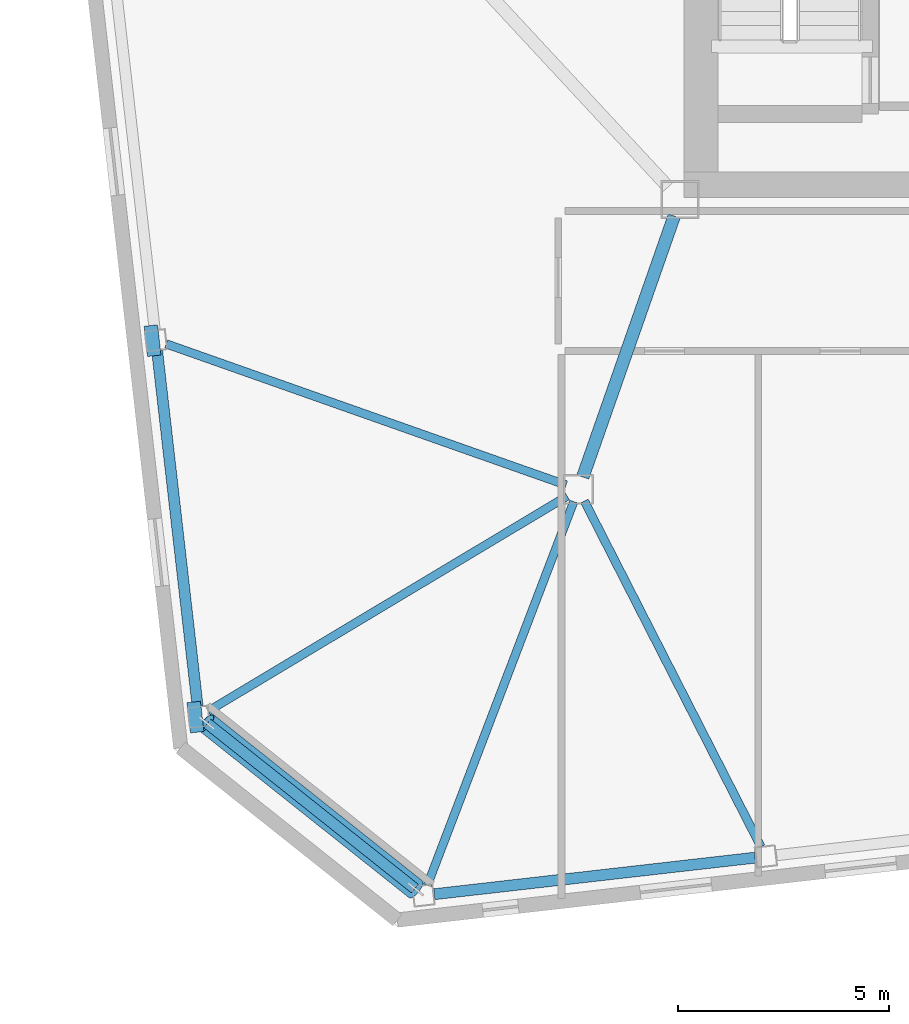
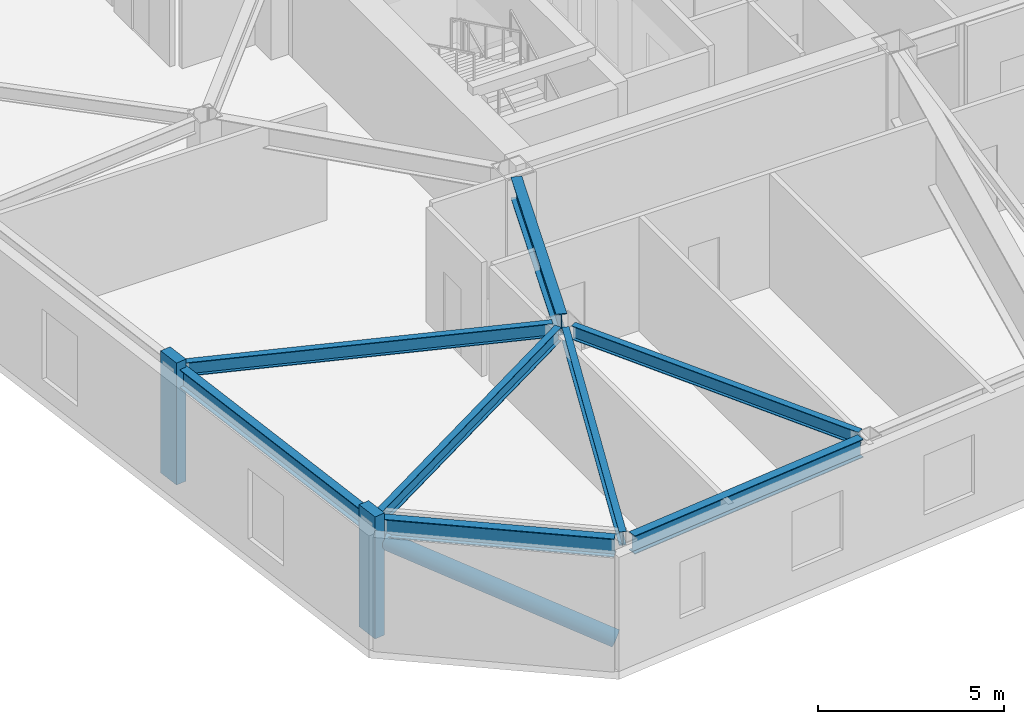
# One storey, part 4 of 19: 8 beams, 3 members.
"""IFC4 building model written with IfcOpenShell, lengths in metres."""

import ifcopenshell
import ifcopenshell.guid

model = None  # the IFC model being written
_history = None  # IfcOwnerHistory: only IFC2X3 demands one
_inside = {}  # id of a spatial element -> (the spatial element, [elements in it])
_under = {}  # id of a project, library or spatial element -> (it, [spatial elements below it])
_declared = {}  # id of a project -> (the project, [libraries it declares])
_typed = {}  # id of a type object -> (the type object, [elements of that type])
_made_of = {}  # id of a material, layer set ... -> (it, [elements and type objects made of it])


def new_model(schema):
    """Start an empty IFC model of exactly this schema.

    Asked for "IFC4X3", IfcOpenShell would pick the latest addendum, in which some entities
    have other attributes; the version numbers below select the first issue.
    IFC2X3 requires an IfcOwnerHistory on every rooted entity: one is made here for all.
    """
    global model, _history
    if schema == "IFC4X3":
        model = ifcopenshell.file(schema_version=(4, 3, 0, 0))
    else:
        model = ifcopenshell.file(schema=schema)
    _inside.clear()
    _under.clear()
    _declared.clear()
    _typed.clear()
    _made_of.clear()
    _history = None
    if model.schema == "IFC2X3":
        org = make("IfcOrganization", Name="unknown")
        user = make(
            "IfcPersonAndOrganization",
            ThePerson=make("IfcPerson", FamilyName="unknown"),
            TheOrganization=org,
        )
        app = make(
            "IfcApplication",
            ApplicationDeveloper=org,
            Version="unknown",
            ApplicationFullName="unknown",
            ApplicationIdentifier="unknown",
        )
        _history = make(
            "IfcOwnerHistory",
            OwningUser=user,
            OwningApplication=app,
            ChangeAction="ADDED",
            CreationDate=0,
        )
    return model


def make(cls, **values):
    """One entity of the class cls with the attributes given. An attribute that is None is left unset."""
    return model.create_entity(
        cls, **{name: value for name, value in values.items() if value is not None}
    )


def rooted(cls, **values):
    """An entity with a GlobalId (a new one), such as an element, a storey or a relation."""
    return make(cls, GlobalId=ifcopenshell.guid.new(), OwnerHistory=_history, **values)


def si_unit(unit_type, name, prefix=None):
    """IfcSIUnit, for example si_unit("LENGTHUNIT", "METRE", prefix="MILLI")."""
    return make("IfcSIUnit", UnitType=unit_type, Prefix=prefix, Name=name)


def assignment(units):
    """IfcUnitAssignment: the units of a project."""
    return None if units is None else make("IfcUnitAssignment", Units=units)


def point(xyz):
    """IfcCartesianPoint."""
    return None if xyz is None else make("IfcCartesianPoint", Coordinates=xyz)


def direction(xyz):
    """IfcDirection."""
    return None if xyz is None else make("IfcDirection", DirectionRatios=xyz)


def frame(location, z_axis=None, x_axis=None):
    """IfcAxis2Placement3D, a coordinate frame: its origin and axes. An axis left out is left unset."""
    return make(
        "IfcAxis2Placement3D",
        Location=point(location),
        Axis=direction(z_axis),
        RefDirection=direction(x_axis),
    )


def frame_2d(location, x_axis=None):
    """IfcAxis2Placement2D, a coordinate frame in the plane: its origin and x axis."""
    return make(
        "IfcAxis2Placement2D", Location=point(location), RefDirection=direction(x_axis)
    )


def origin():
    """The frame at (0, 0, 0) with its axes left unset."""
    return frame((0.0, 0.0, 0.0))


def origin_2d():
    """The frame at (0, 0) in the plane with its x axis left unset."""
    return frame_2d((0.0, 0.0))


def place(relative_to, where):
    """IfcLocalPlacement: puts the frame where relative to a parent placement (None: the world)."""
    return make(
        "IfcLocalPlacement", PlacementRelTo=relative_to, RelativePlacement=where
    )


def context(
    kind, dimensions, precision=None, world=None, true_north=None, identifier=None
):
    """IfcGeometricRepresentationContext, for example the 3D "Model" context."""
    return make(
        "IfcGeometricRepresentationContext",
        ContextIdentifier=identifier,
        ContextType=kind,
        CoordinateSpaceDimension=dimensions,
        Precision=precision,
        WorldCoordinateSystem=world,
        TrueNorth=true_north,
    )


def subcontext(parent, identifier, kind, view, scale=None):
    """IfcGeometricRepresentationSubContext, for example "Body" below "Model"."""
    return make(
        "IfcGeometricRepresentationSubContext",
        ContextIdentifier=identifier,
        ContextType=kind,
        ParentContext=parent,
        TargetScale=scale,
        TargetView=view,
    )


def project(units=None, contexts=None):
    """IfcProject with its units and contexts."""
    return rooted(
        "IfcProject",
        Name="project",
        RepresentationContexts=contexts,
        UnitsInContext=assignment(units),
    )


def spatial(cls, under=None, at=None, **own):
    """A site, building, storey or space (cls), placed at a placement, below another one or the project."""
    s = rooted(cls, ObjectPlacement=at, **own)
    if under is not None:
        _under.setdefault(under.id(), (under, []))[1].append(s)
    return s


def profile(cls, at=None, kind="AREA", **sizes):
    """A parametric profile (cls). Its sizes go by their IFC names, for example OverallWidth=200.0."""
    return make(cls, ProfileType=kind, Position=at, **sizes)


def rectangle(**sizes):
    """IfcRectangleProfileDef."""
    return profile("IfcRectangleProfileDef", **sizes)


def hollow_circle(**sizes):
    """IfcCircleHollowProfileDef."""
    return profile("IfcCircleHollowProfileDef", **sizes)


def i_section(**sizes):
    """IfcIShapeProfileDef."""
    return profile("IfcIShapeProfileDef", **sizes)


def extrude(swept, where, along, depth):
    """IfcExtrudedAreaSolid: the profile swept, set in the frame where, extruded along a direction by depth."""
    return make(
        "IfcExtrudedAreaSolid",
        SweptArea=swept,
        Position=where,
        ExtrudedDirection=direction(along),
        Depth=depth,
    )


def shape(context_of_items, identifier, shape_type, items):
    """IfcShapeRepresentation: the items that make up one representation, for example the "Body"."""
    return make(
        "IfcShapeRepresentation",
        ContextOfItems=context_of_items,
        RepresentationIdentifier=identifier,
        RepresentationType=shape_type,
        Items=items,
    )


def material(Name=None, Category=None):
    """IfcMaterial."""
    return make("IfcMaterial", Name=Name, Category=Category)


def material_profile(
    of_material, cross_section, Name=None, Category=None, Priority=None
):
    """IfcMaterialProfile: a cross section and its material."""
    return make(
        "IfcMaterialProfile",
        Name=Name,
        Material=of_material,
        Profile=cross_section,
        Priority=Priority,
        Category=Category,
    )


def profile_set(profiles, Name=None, composite=None):
    """IfcMaterialProfileSet."""
    return make(
        "IfcMaterialProfileSet",
        Name=Name,
        MaterialProfiles=profiles,
        CompositeProfile=composite,
    )


def made_of(thing, what):
    """Note that an element or type object is made of a material, layer set ...; save() writes the relation."""
    if what is not None:
        _made_of.setdefault(what.id(), (what, []))[1].append(thing)
    return thing


def type_object(cls, material=None, **own):
    """A type object (cls), such as IfcWallType, which elements share."""
    return made_of(rooted(cls, **own), material)


def element(
    cls,
    number,
    at=None,
    inside=None,
    cuts=None,
    type_object=None,
    material=None,
    context=None,
    identifier="Body",
    shape_type=None,
    held_by="IfcProductDefinitionShape",
    body=None,
    shapes=None,
    **own,
):
    """One element of the class cls, such as IfcWall. Its Tag is "e" and its number.

    at: its placement. inside: the storey or other place that contains it. cuts: it is an
    opening in that element (IfcRelVoidsElement). A single representation is given by context,
    identifier, shape_type and body (its items); several are given by shapes. held_by: the class
    of the entity that holds the representations. save() writes the other relations.
    """
    e = rooted(cls, Tag="e%d" % number, ObjectPlacement=at, **own)
    if body is not None:
        shapes = [shape(context, identifier, shape_type, body)]
    if shapes is not None:
        e.Representation = make(held_by, Representations=shapes)
    if inside is not None:
        _inside.setdefault(inside.id(), (inside, []))[1].append(e)
    if cuts is not None:
        rooted(
            "IfcRelVoidsElement", RelatingBuildingElement=cuts, RelatedOpeningElement=e
        )
    if type_object is not None:
        _typed.setdefault(type_object.id(), (type_object, []))[1].append(e)
    return made_of(e, material)


def aggregate(whole, parts):
    """IfcRelAggregates: a whole, such as a stair, and the parts it consists of."""
    return rooted("IfcRelAggregates", RelatingObject=whole, RelatedObjects=parts)


def save(model, path):
    """Write the relations noted so far, then the file.

    IfcRelAggregates (storeys below a building ...), IfcRelContainedInSpatialStructure (elements
    in a storey), IfcRelDefinesByType, IfcRelAssociatesMaterial and IfcRelDeclares: one each for
    every whole, place, type object, material and project.
    """
    for whole, parts in _under.values():
        aggregate(whole, parts)
    for where, things in _inside.values():
        rooted(
            "IfcRelContainedInSpatialStructure",
            RelatedElements=things,
            RelatingStructure=where,
        )
    for kind, things in _typed.values():
        rooted("IfcRelDefinesByType", RelatedObjects=things, RelatingType=kind)
    for what, things in _made_of.values():
        rooted("IfcRelAssociatesMaterial", RelatedObjects=things, RelatingMaterial=what)
    for by, libraries in _declared.values():
        rooted("IfcRelDeclares", RelatingContext=by, RelatedDefinitions=libraries)
    model.write(path)


model = new_model("IFC4")

# Units and contexts
model_context = context("Model", 3, precision=1e-05, world=origin(), true_north=direction((0.0, 1.0)))
body_context = subcontext(model_context, "Body", "Model", "MODEL_VIEW")
ifc_project = project(units=[si_unit("LENGTHUNIT", "METRE"), si_unit("AREAUNIT", "SQUARE_METRE"), si_unit("VOLUMEUNIT", "CUBIC_METRE"), si_unit("PLANEANGLEUNIT", "RADIAN"), si_unit("MASSUNIT", "GRAM", prefix="KILO")], contexts=[model_context])

# Site, building, storey
site_placement = place(None, origin())
site = spatial("IfcSite", under=ifc_project, at=site_placement, CompositionType="ELEMENT")
building_placement = place(site_placement, origin())
building = spatial("IfcBuilding", under=site, at=building_placement, Name="Tavrogorsk Clinical Tower", CompositionType="ELEMENT")
storey_placement = place(building_placement, frame((0.0, 0.0, 218.199951171875)))
storey = spatial("IfcBuildingStorey", under=building, at=storey_placement, Name="L50", CompositionType="ELEMENT", Elevation=218.199951171875)

# Member
ifc_material_1 = material(Name="Structural steel S440", Category="steel")
ifc_material_profile_1 = material_profile(ifc_material_1, hollow_circle(Radius=0.25390625, WallThickness=0.02001953125, at=origin_2d()), Name="CHS-508x20")
ifc_profile_set_1 = profile_set([ifc_material_profile_1], Name="Structural steel S440")
member_type_1 = type_object("IfcMemberType", Name="ExoBrace_CHS508", PredefinedType="BRACE", material=ifc_profile_set_1)
member_placement = place(storey_placement, frame((-28.3515625, -22.654052734375, 0.398193359375), z_axis=(-0.723851679348, 0.575789482159, 0.380138420237), x_axis=(-0.622522488852, -0.782601910855, 0.0)))
element("IfcMember", 1, at=member_placement, inside=storey, type_object=member_type_1, Name="L50 Corner Exoskeleton Brace W5-S1", PredefinedType="BRACE", context=body_context, shape_type="SweptSolid", body=[
    extrude(hollow_circle(Radius=0.25390625, WallThickness=0.02001953125, at=origin_2d()), origin(), (0.0, 0.0, 1.0), 6.8232421875),
])

# Beams
ifc_material_2 = material(Name="Structural steel S355", Category="steel")
ifc_material_profile_2 = material_profile(ifc_material_2, i_section(OverallWidth=0.199951171875, OverallDepth=0.449951171875, WebThickness=0.011474609375, FlangeThickness=0.01806640625, at=origin_2d()), Name="B-450x200x11.5x18")
ifc_profile_set_2 = profile_set([ifc_material_profile_2], Name="Structural steel S355")
beam_type_1 = type_object("IfcBeamType", Name="FloorBeam_B450", PredefinedType="BEAM", material=ifc_profile_set_2)
beam_1_placement = place(storey_placement, frame((-24.610595703125, -13.489501953125, 3.51513671875), z_axis=(-0.356548354426, -0.93427687061, 0.0), x_axis=(0.93427687061, -0.356548354426, 0.0)))
element("IfcBeam", 2, at=beam_1_placement, inside=storey, type_object=beam_type_1, Name="L50 Radial Floor Beam S1", PredefinedType="BEAM", context=body_context, shape_type="SweptSolid", body=[
    extrude(i_section(OverallWidth=0.199951171875, OverallDepth=0.449951171875, WebThickness=0.011474609375, FlangeThickness=0.01806640625, at=origin_2d()), origin(), (0.0, 0.0, 1.0), 9.710205078125),
])
beam_2_placement = place(storey_placement, frame((-24.359130859375, -13.47607421875, 3.51513671875), z_axis=(0.454709818127, -0.890639647275, 0.0), x_axis=(0.890639647275, 0.454709818127, 0.0)))
element("IfcBeam", 3, at=beam_2_placement, inside=storey, type_object=beam_type_1, Name="L50 Radial Floor Beam S2", PredefinedType="BEAM", context=body_context, shape_type="SweptSolid", body=[
    extrude(i_section(OverallWidth=0.199951171875, OverallDepth=0.449951171875, WebThickness=0.011474609375, FlangeThickness=0.01806640625, at=origin_2d()), origin(), (0.0, 0.0, 1.0), 9.177978515625),
])
beam_3_placement = place(storey_placement, frame((-24.792236328125, -13.096923828125, 3.51513671875), z_axis=(-0.943014153926, 0.332752619067, 0.0), x_axis=(-0.332752619067, -0.943014153926, 0.0)))
element("IfcBeam", 4, at=beam_3_placement, inside=storey, type_object=beam_type_1, Name="L50 Radial Floor Beam W4", PredefinedType="BEAM", context=body_context, shape_type="SweptSolid", body=[
    extrude(i_section(OverallWidth=0.199951171875, OverallDepth=0.449951171875, WebThickness=0.011474609375, FlangeThickness=0.01806640625, at=origin_2d()), origin(), (0.0, 0.0, 1.0), 10.027587890625),
])
beam_4_placement = place(storey_placement, frame((-24.765869140625, -13.359375, 3.51513671875), z_axis=(-0.857906237315, -0.513806274754, 0.0), x_axis=(0.513806274754, -0.857906237315, 0.0)))
element("IfcBeam", 5, at=beam_4_placement, inside=storey, type_object=beam_type_1, Name="L50 Radial Floor Beam W5", PredefinedType="BEAM", context=body_context, shape_type="SweptSolid", body=[
    extrude(i_section(OverallWidth=0.199951171875, OverallDepth=0.449951171875, WebThickness=0.011474609375, FlangeThickness=0.01806640625, at=origin_2d()), origin(), (0.0, 0.0, 1.0), 9.896240234375),
])

# Members
ifc_material_3 = material(Name="Precast concrete B45 with limestone cladding", Category="masonry")
ifc_material_profile_3 = material_profile(ifc_material_3, rectangle(XDim=0.320068359375, YDim=0.719970703125, at=origin_2d()), Name="LIMESTONE-FIN-320x720")
ifc_profile_set_3 = profile_set([ifc_material_profile_3], Name="Precast concrete B45 with limestone cladding")
member_type_2 = type_object("IfcMemberType", Name="LimestonePleatFin_320x720", PredefinedType="USERDEFINED", material=ifc_profile_set_3)
for number, where, z_axis, x_axis, name in (
    (6, (-34.571044921875, -9.683349609375, 0.0), (0.0, 0.0, 1.0), (0.993571855677, 0.113203213768, 0.0), "L50 W Pleated Stone Fin 3"),
    (7, (-33.556640625, -18.585693359375, 0.0), (0.0, 0.0, 1.0), (0.993571855677, 0.113203213768, 0.0), "L50 W Pleated Stone Fin 4"),
):
    element("IfcMember", number, at=place(storey_placement, frame(where, z_axis=z_axis, x_axis=x_axis)), inside=storey, type_object=member_type_2, Name=name, ObjectType="FIN", PredefinedType="USERDEFINED", context=body_context, shape_type="SweptSolid", body=[
        extrude(rectangle(XDim=0.320068359375, YDim=0.719970703125, at=origin_2d()), origin(), (0.0, 0.0, 1.0), 4.0),
    ])

# Beams
ifc_material_4 = material(Name="Structural steel S390", Category="steel")
ifc_material_profile_4 = material_profile(ifc_material_4, i_section(OverallWidth=0.300048828125, OverallDepth=0.699951171875, WebThickness=0.01708984375, FlangeThickness=0.028076171875, at=origin_2d()), Name="B-700x300x17x28")
ifc_profile_set_4 = profile_set([ifc_material_profile_4], Name="Structural steel S390")
beam_type_2 = type_object("IfcBeamType", Name="PrimaryGirder_B700", PredefinedType="USERDEFINED", material=ifc_profile_set_4)
beam_5_placement = place(storey_placement, frame((-24.3974609375, -12.907470703125, 3.39013671875), z_axis=(0.33065312634, 0.94375235631, 0.0), x_axis=(-0.94375235631, 0.33065312634, 0.0)))
element("IfcBeam", 8, at=beam_5_placement, inside=storey, type_object=beam_type_2, Name="L50 Spine Link Girder OPG-1", ObjectType="GIRDER", PredefinedType="USERDEFINED", context=body_context, shape_type="SweptSolid", body=[
    extrude(i_section(OverallWidth=0.300048828125, OverallDepth=0.699951171875, WebThickness=0.01708984375, FlangeThickness=0.028076171875, at=origin_2d()), origin(), (0.0, 0.0, 1.0), 6.5380859375),
])
ifc_material_5 = material(Name="Structural steel S390", Category="steel")
ifc_material_profile_5 = material_profile(ifc_material_5, i_section(OverallWidth=0.260009765625, OverallDepth=0.60009765625, WebThickness=0.014892578125, FlangeThickness=0.02392578125, at=origin_2d()), Name="B-600x260x15x24")
ifc_profile_set_5 = profile_set([ifc_material_profile_5], Name="Structural steel S390")
beam_type_3 = type_object("IfcBeamType", Name="SpandrelBeam_B600", PredefinedType="SPANDREL", material=ifc_profile_set_5)
beam_6_placement = place(storey_placement, frame((-27.908447265625, -22.773193359375, 3.43994140625), z_axis=(0.993575697004, 0.113169493787, 0.0), x_axis=(-0.113169493787, 0.993575697004, 0.0)))
element("IfcBeam", 9, at=beam_6_placement, inside=storey, type_object=beam_type_3, Name="L50 Perimeter Spandrel S1-S2", PredefinedType="SPANDREL", context=body_context, shape_type="SweptSolid", body=[
    extrude(i_section(OverallWidth=0.260009765625, OverallDepth=0.60009765625, WebThickness=0.014892578125, FlangeThickness=0.02392578125, at=origin_2d()), origin(), (0.0, 0.0, 1.0), 7.632568359375),
])
beam_7_placement = place(storey_placement, frame((-34.46240234375, -9.9306640625, 3.43994140625), z_axis=(0.113223671813, -0.993569524563, 0.0), x_axis=(0.993569524563, 0.113223671813, 0.0)))
element("IfcBeam", 10, at=beam_7_placement, inside=storey, type_object=beam_type_3, Name="L50 Perimeter Spandrel W4-W5", PredefinedType="SPANDREL", context=body_context, shape_type="SweptSolid", body=[
    extrude(i_section(OverallWidth=0.260009765625, OverallDepth=0.60009765625, WebThickness=0.014892578125, FlangeThickness=0.02392578125, at=origin_2d()), origin(), (0.0, 0.0, 1.0), 8.44384765625),
])
beam_8_placement = place(storey_placement, frame((-33.275390625, -18.7373046875, 3.43994140625), z_axis=(0.782608811853, -0.622513813188, 0.0), x_axis=(0.622513813188, 0.782608811853, 0.0)))
element("IfcBeam", 11, at=beam_8_placement, inside=storey, type_object=beam_type_3, Name="L50 Perimeter Spandrel W5-S1", PredefinedType="SPANDREL", context=body_context, shape_type="SweptSolid", body=[
    extrude(i_section(OverallWidth=0.260009765625, OverallDepth=0.60009765625, WebThickness=0.014892578125, FlangeThickness=0.02392578125, at=origin_2d()), origin(), (0.0, 0.0, 1.0), 6.272216796875),
])

save(model, "model.ifc")
